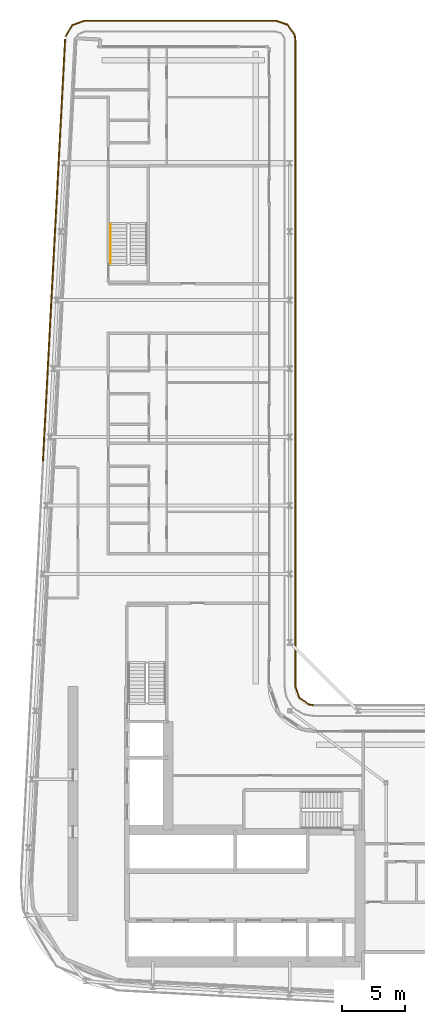
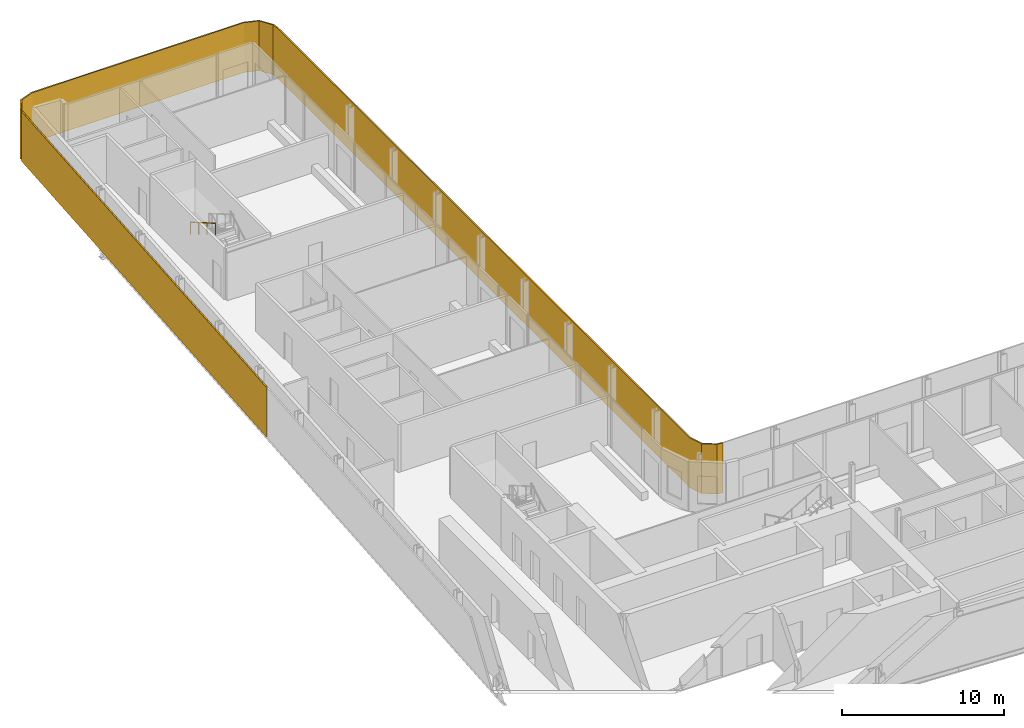
# One storey, part 24 of 27: 2 shading devices, 1 railing.
"""IFC4 building model written with IfcOpenShell, lengths in metres."""

from ifc_helpers import new_model, si_unit, direction, frame, origin, origin_2d, place, context, subcontext, project, spatial, polyline, rectangle, circle, outline, extrude, material, layer, layer_set, type_object, element, save


model = new_model("IFC4")

# Units and contexts
model_context = context("Model", 3, precision=1e-05, world=origin(), true_north=direction((0.0, 1.0)))
body_context = subcontext(model_context, "Body", "Model", "MODEL_VIEW")
ifc_project = project(units=[si_unit("LENGTHUNIT", "METRE"), si_unit("AREAUNIT", "SQUARE_METRE"), si_unit("VOLUMEUNIT", "CUBIC_METRE"), si_unit("PLANEANGLEUNIT", "RADIAN"), si_unit("MASSUNIT", "GRAM", prefix="KILO")], contexts=[model_context])

# Site, building, storey
site_placement = place(None, origin())
site = spatial("IfcSite", under=ifc_project, at=site_placement, CompositionType="ELEMENT")
building_placement = place(site_placement, origin())
building = spatial("IfcBuilding", under=site, at=building_placement, Name="Kheshtan School and Residences Tower", CompositionType="ELEMENT")
storey_placement = place(building_placement, frame((0.0, 0.0, 152.60009765625)))
storey = spatial("IfcBuildingStorey", under=building, at=storey_placement, Name="L35", CompositionType="ELEMENT", Elevation=152.60009765625)

# Shading devices
ifc_material_1 = material(Name="Terracotta baguette, extruded ceramic", Category="masonry")
ifc_layer_1 = layer(ifc_material_1, 0.10009765625)
ifc_layer_set_1 = layer_set([ifc_layer_1], Name="Ledge screen, terracotta baguettes")
shading_device_type_1 = type_object("IfcShadingDeviceType", Name="Ledge screen, terracotta baguettes", PredefinedType="USERDEFINED", material=ifc_layer_set_1)
shading_device_1_placement = place(storey_placement, frame((28.9990234375, 81.93408203125, 0.0), z_axis=(0.0, 0.0, 1.0), x_axis=(0.052562536748, 0.998617634398, 0.0)))
element("IfcShadingDevice", 1, at=shading_device_1_placement, inside=storey, type_object=shading_device_type_1, Name="Screen L35 5", ObjectType="BAGUETTE", PredefinedType="USERDEFINED", context=body_context, shape_type="SweptSolid", body=[
    extrude(rectangle(XDim=33.341064453125, YDim=0.10009765625, at=origin_2d()), origin(), (0.0, 0.0, 1.0), 3.75),
])
ifc_material_2 = material(Name="Terracotta lattice, extruded ceramic", Category="masonry")
ifc_layer_2 = layer(ifc_material_2, 0.10009765625)
ifc_layer_set_2 = layer_set([ifc_layer_2], Name="Loggia screen, terracotta lattice")
shading_device_type_2 = type_object("IfcShadingDeviceType", Name="Loggia screen, terracotta lattice", PredefinedType="USERDEFINED", material=ifc_layer_set_2)
shading_device_2_placement = place(storey_placement, origin())
element("IfcShadingDevice", 2, at=shading_device_2_placement, inside=storey, type_object=shading_device_type_2, Name="Screen L35 1", ObjectType="SCREEN", PredefinedType="USERDEFINED", context=body_context, shape_type="SweptSolid", body=[
    extrude(outline(polyline([(29.949951171875, 98.783935546875), (30.468017578125, 99.656982421875), (31.423095703125, 100.0), (46.5, 100.0), (47.4130859375, 99.68994140625), (47.948974609375, 98.887939453125), (48.0, 98.5), (48.0, 47.5), (48.31005859375, 46.5869140625), (49.112060546875, 46.051025390625), (49.5, 46.0), (49.512939453125, 46.09912109375), (49.14794921875, 46.14697265625), (48.39404296875, 46.65087890625), (48.10009765625, 47.51708984375), (48.10009765625, 98.507080078125), (48.044921875, 98.924072265625), (47.47705078125, 99.77392578125), (46.51708984375, 100.10009765625), (31.406005859375, 100.10009765625), (30.39990234375, 99.739013671875), (29.864013671875, 98.8349609375), (29.949951171875, 98.783935546875)])), origin(), (0.0, 0.0, 1.0), 3.75),
])

# Railing
ifc_material_3 = material(Name="Stainless steel handrail", Category="steel")
railing_type = type_object("IfcRailingType", Name="Stair handrail 900", PredefinedType="HANDRAIL", material=ifc_material_3)
railing_placement = place(storey_placement, frame((33.449951171875, 83.97998046875, 2.1123046875)))
element("IfcRailing", 3, at=railing_placement, inside=storey, type_object=railing_type, Name="L35 ST3 stair handrail 2", PredefinedType="HANDRAIL", context=body_context, shape_type="SweptSolid", body=[
    extrude(circle(Radius=0.02392578125, at=origin_2d()), frame((0.0, 0.0, 0.8759765625), z_axis=(0.0, -0.864890721111, 0.501960198159), x_axis=(1.0, 0.0, 0.0)), (0.0, 0.0, 1.0), 3.561279296875),
    extrude(circle(Radius=0.02099609375, at=origin_2d()), origin(), (0.0, 0.0, 1.0), 0.851806640625),
    extrude(circle(Radius=0.02099609375, at=origin_2d()), frame((0.0, -1.026611328125, 0.595947265625)), (0.0, 0.0, 1.0), 0.851806640625),
    extrude(circle(Radius=0.02099609375, at=origin_2d()), frame((0.0, -2.053466796875, 1.191650390625)), (0.0, 0.0, 1.0), 0.851806640625),
    extrude(circle(Radius=0.02099609375, at=origin_2d()), frame((0.0, -3.080078125, 1.78759765625)), (0.0, 0.0, 1.0), 0.851806640625),
])

save(model, "model.ifc")
